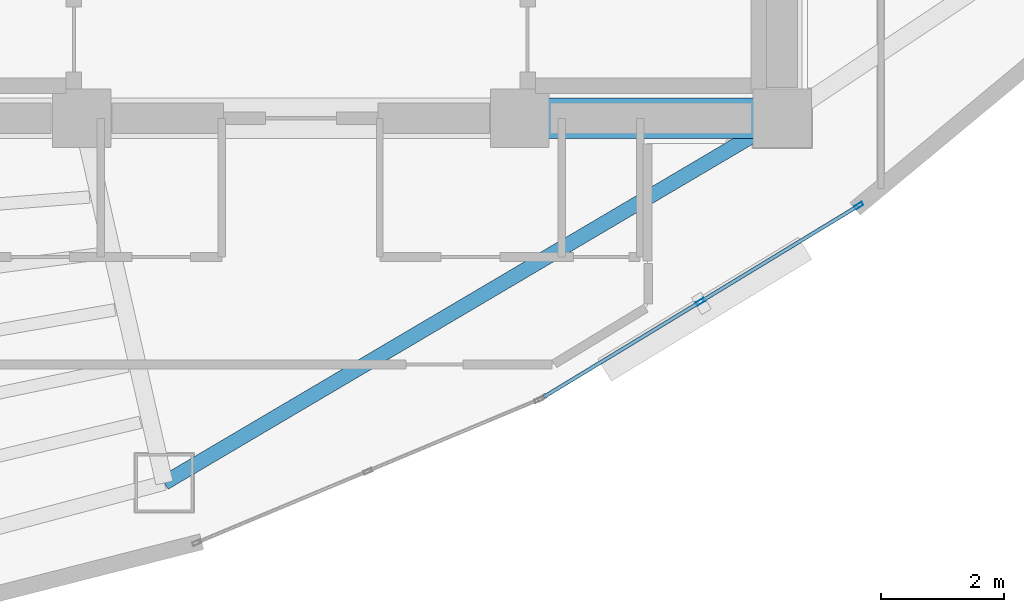
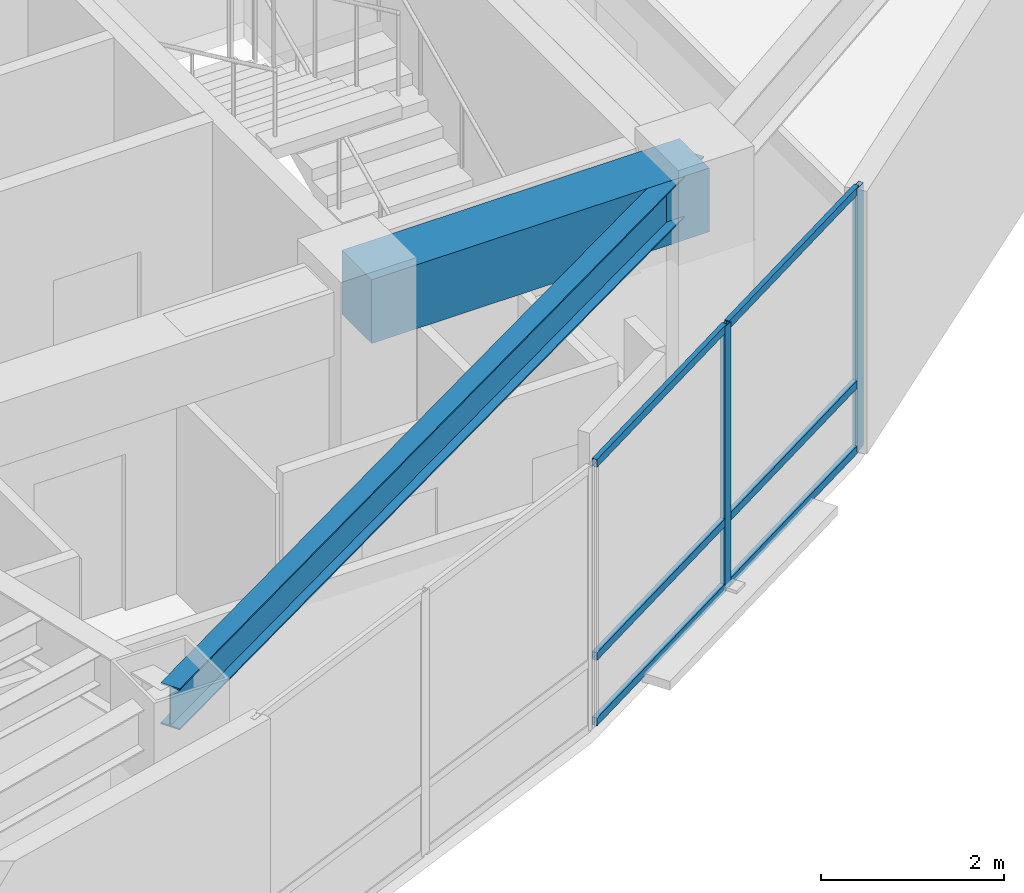
# One storey, part 5 of 15: 8 members, 2 beams, 1 element without a shape of its own.
"""IFC4 building model written with IfcOpenShell, lengths in metres."""

from ifc_helpers import new_model, si_unit, direction, frame, origin, origin_2d, place, context, subcontext, project, spatial, rectangle, hollow_rectangle, i_section, extrude, material, layer, layer_set, material_profile, profile_set, type_object, element, aggregate, save


model = new_model("IFC4")

# Units and contexts
model_context = context("Model", 3, precision=1e-05, world=origin(), true_north=direction((0.0, 1.0)))
body_context = subcontext(model_context, "Body", "Model", "MODEL_VIEW")
ifc_project = project(units=[si_unit("LENGTHUNIT", "METRE"), si_unit("AREAUNIT", "SQUARE_METRE"), si_unit("VOLUMEUNIT", "CUBIC_METRE"), si_unit("PLANEANGLEUNIT", "RADIAN"), si_unit("MASSUNIT", "GRAM", prefix="KILO")], contexts=[model_context])

# Site, building, storey
site_placement = place(None, origin())
site = spatial("IfcSite", under=ifc_project, at=site_placement, CompositionType="ELEMENT")
building_placement = place(site_placement, origin())
building = spatial("IfcBuilding", under=site, at=building_placement, Name="Menara Vayukalpa", CompositionType="ELEMENT")
storey_placement = place(building_placement, frame((0.0, 0.0, 184.080078125)))
storey = spatial("IfcBuildingStorey", under=building, at=storey_placement, Name="L46", CompositionType="ELEMENT", Elevation=184.080078125)

# Beams
ifc_material_1 = material(Name="Concrete C60/75", Category="concrete")
ifc_material_profile_1 = material_profile(ifc_material_1, rectangle(XDim=0.64990234375, YDim=0.85009765625, at=origin_2d()), Name="RC 650x850")
ifc_profile_set_1 = profile_set([ifc_material_profile_1], Name="Concrete C60/75")
beam_type_1 = type_object("IfcBeamType", Name="BM-CB1", PredefinedType="BEAM", material=ifc_profile_set_1)
beam_1_placement = place(storey_placement, frame((29.14990234375, 17.199951171875, 3.074951171875), z_axis=(1.0, 0.0, 0.0), x_axis=(0.0, 1.0, 0.0)))
element("IfcBeam", 1, at=beam_1_placement, inside=storey, type_object=beam_type_1, Name="L46 Core Tie Beam CBR3", PredefinedType="BEAM", context=body_context, shape_type="SweptSolid", body=[
    extrude(rectangle(XDim=0.64990234375, YDim=0.85009765625, at=origin_2d()), origin(), (0.0, 0.0, 1.0), 4.25),
])
ifc_material_2 = material(Name="Steel S355", Category="steel")
ifc_material_profile_2 = material_profile(ifc_material_2, i_section(OverallWidth=0.239990234375, OverallDepth=0.550048828125, WebThickness=0.010986328125, FlangeThickness=0.01904296875, at=origin_2d()), Name="WF 550x240x11x19")
ifc_profile_set_2 = profile_set([ifc_material_profile_2], Name="Steel S355")
beam_type_2 = type_object("IfcBeamType", Name="BM-SP2", PredefinedType="SPANDREL", material=ifc_profile_set_2)
beam_2_placement = place(storey_placement, frame((23.389404296875, 11.29150390625, 3.224853515625), z_axis=(0.861184403346, 0.508292655302, 0.0), x_axis=(-0.508292655302, 0.861184403346, 0.0)))
element("IfcBeam", 2, at=beam_2_placement, inside=storey, type_object=beam_type_2, Name="L46 Perimeter Spandrel Beam SP08", PredefinedType="SPANDREL", context=body_context, shape_type="SweptSolid", body=[
    extrude(i_section(OverallWidth=0.239990234375, OverallDepth=0.550048828125, WebThickness=0.010986328125, FlangeThickness=0.01904296875, at=origin_2d()), origin(), (0.0, 0.0, 1.0), 11.6240234375),
])

# Curtain wall, members
ifc_material_3 = material(Name="Anodised Terracotta Aluminium Alloy 6063-T6", Category="masonry")
ifc_layer = layer(ifc_material_3, 0.139892578125)
ifc_layer_set = layer_set([ifc_layer], Name="Anodised Terracotta Aluminium Alloy 6063-T6")
curtain_wall_type = type_object("IfcCurtainWallType", Name="CW-CW5", PredefinedType="USERDEFINED", material=ifc_layer_set)
curtain_wall_placement = place(storey_placement, origin())
curtain_wall = element("IfcCurtainWall", 3, at=curtain_wall_placement, inside=storey, type_object=curtain_wall_type, Name="L46 High Rise Tapered Curtain Wall CW5 17", ObjectType="UNITISED", PredefinedType="USERDEFINED")
ifc_material_4 = material(Name="Anodised Terracotta Aluminium Alloy 6063-T6", Category="masonry")
ifc_material_profile_3 = material_profile(ifc_material_4, hollow_rectangle(XDim=0.06005859375, YDim=0.139892578125, WallThickness=0.00341796875, at=origin_2d()), Name="ALU 60x140x3.5")
ifc_profile_set_3 = profile_set([ifc_material_profile_3], Name="Anodised Terracotta Aluminium Alloy 6063-T6")
member_type_1 = type_object("IfcMemberType", Name="CWM-CW5", PredefinedType="MULLION", material=ifc_profile_set_3)
member_1_placement = place(storey_placement, frame((32.075439453125, 14.226318359375, 0.0), z_axis=(0.0, 0.0, 1.0), x_axis=(-0.519179911779, 0.854664974832, 0.0)))
member_1 = element("IfcMember", 4, at=member_1_placement, type_object=member_type_1, Name="CW5 mullion 2", PredefinedType="MULLION", context=body_context, shape_type="SweptSolid", body=[
    extrude(hollow_rectangle(XDim=0.06005859375, YDim=0.139892578125, WallThickness=0.00341796875, at=origin_2d()), origin(), (0.0, 0.0, 1.0), 3.5),
])
member_2_placement = place(storey_placement, frame((34.6416015625, 15.78515625, 0.0), z_axis=(0.0, 0.0, 1.0), x_axis=(-0.519179911779, 0.854664974832, 0.0)))
member_2 = element("IfcMember", 5, at=member_2_placement, type_object=member_type_1, Name="CW5 mullion 3", PredefinedType="MULLION", context=body_context, shape_type="SweptSolid", body=[
    extrude(hollow_rectangle(XDim=0.06005859375, YDim=0.139892578125, WallThickness=0.00341796875, at=origin_2d()), origin(), (0.0, 0.0, 1.0), 3.5),
])
ifc_material_5 = material(Name="Anodised Terracotta Aluminium Alloy 6063-T6", Category="masonry")
ifc_material_profile_4 = material_profile(ifc_material_5, hollow_rectangle(XDim=0.06005859375, YDim=0.10498046875, WallThickness=0.0029296875, at=origin_2d()), Name="ALU 60x105x3")
ifc_profile_set_4 = profile_set([ifc_material_profile_4], Name="Anodised Terracotta Aluminium Alloy 6063-T6")
member_type_2 = type_object("IfcMemberType", Name="CWT-CW5", PredefinedType="USERDEFINED", material=ifc_profile_set_4)
member_3_placement = place(storey_placement, frame((29.53515625, 12.68310546875, 0.030029296875), z_axis=(0.85466128475, 0.51918598628, 0.0), x_axis=(-0.51918598628, 0.85466128475, 0.0)))
member_3 = element("IfcMember", 6, at=member_3_placement, type_object=member_type_2, Name="CW5 transom 1.1", ObjectType="TRANSOM", PredefinedType="USERDEFINED", context=body_context, shape_type="SweptSolid", body=[
    extrude(hollow_rectangle(XDim=0.06005859375, YDim=0.10498046875, WallThickness=0.0029296875, at=origin_2d()), origin(), (0.0, 0.0, 1.0), 2.9423828125),
])
member_4_placement = place(storey_placement, frame((29.53515625, 12.68310546875, 0.89990234375), z_axis=(0.85466128475, 0.51918598628, 0.0), x_axis=(-0.51918598628, 0.85466128475, 0.0)))
member_4 = element("IfcMember", 7, at=member_4_placement, type_object=member_type_2, Name="CW5 transom 1.2", ObjectType="TRANSOM", PredefinedType="USERDEFINED", context=body_context, shape_type="SweptSolid", body=[
    extrude(hollow_rectangle(XDim=0.06005859375, YDim=0.10498046875, WallThickness=0.0029296875, at=origin_2d()), origin(), (0.0, 0.0, 1.0), 2.9423828125),
])
member_5_placement = place(storey_placement, frame((29.53515625, 12.68310546875, 3.469970703125), z_axis=(0.85466128475, 0.51918598628, 0.0), x_axis=(-0.51918598628, 0.85466128475, 0.0)))
member_5 = element("IfcMember", 8, at=member_5_placement, type_object=member_type_2, Name="CW5 transom 1.3", ObjectType="TRANSOM", PredefinedType="USERDEFINED", context=body_context, shape_type="SweptSolid", body=[
    extrude(hollow_rectangle(XDim=0.06005859375, YDim=0.10498046875, WallThickness=0.0029296875, at=origin_2d()), origin(), (0.0, 0.0, 1.0), 2.9423828125),
])
member_6_placement = place(storey_placement, frame((32.10107421875, 14.241943359375, 0.030029296875), z_axis=(0.854683649113, 0.519149169255, 0.0), x_axis=(-0.519149169255, 0.854683649113, 0.0)))
member_6 = element("IfcMember", 9, at=member_6_placement, type_object=member_type_2, Name="CW5 transom 2.1", ObjectType="TRANSOM", PredefinedType="USERDEFINED", context=body_context, shape_type="SweptSolid", body=[
    extrude(hollow_rectangle(XDim=0.06005859375, YDim=0.10498046875, WallThickness=0.0029296875, at=origin_2d()), origin(), (0.0, 0.0, 1.0), 2.9423828125),
])
member_7_placement = place(storey_placement, frame((32.10107421875, 14.241943359375, 0.89990234375), z_axis=(0.854683649113, 0.519149169255, 0.0), x_axis=(-0.519149169255, 0.854683649113, 0.0)))
member_7 = element("IfcMember", 10, at=member_7_placement, type_object=member_type_2, Name="CW5 transom 2.2", ObjectType="TRANSOM", PredefinedType="USERDEFINED", context=body_context, shape_type="SweptSolid", body=[
    extrude(hollow_rectangle(XDim=0.06005859375, YDim=0.10498046875, WallThickness=0.0029296875, at=origin_2d()), origin(), (0.0, 0.0, 1.0), 2.9423828125),
])
member_8_placement = place(storey_placement, frame((32.10107421875, 14.241943359375, 3.469970703125), z_axis=(0.854683649113, 0.519149169255, 0.0), x_axis=(-0.519149169255, 0.854683649113, 0.0)))
member_8 = element("IfcMember", 11, at=member_8_placement, type_object=member_type_2, Name="CW5 transom 2.3", ObjectType="TRANSOM", PredefinedType="USERDEFINED", context=body_context, shape_type="SweptSolid", body=[
    extrude(hollow_rectangle(XDim=0.06005859375, YDim=0.10498046875, WallThickness=0.0029296875, at=origin_2d()), origin(), (0.0, 0.0, 1.0), 2.9423828125),
])
aggregate(curtain_wall, [member_1, member_2, member_3, member_4, member_5, member_6, member_7, member_8])

save(model, "model.ifc")
